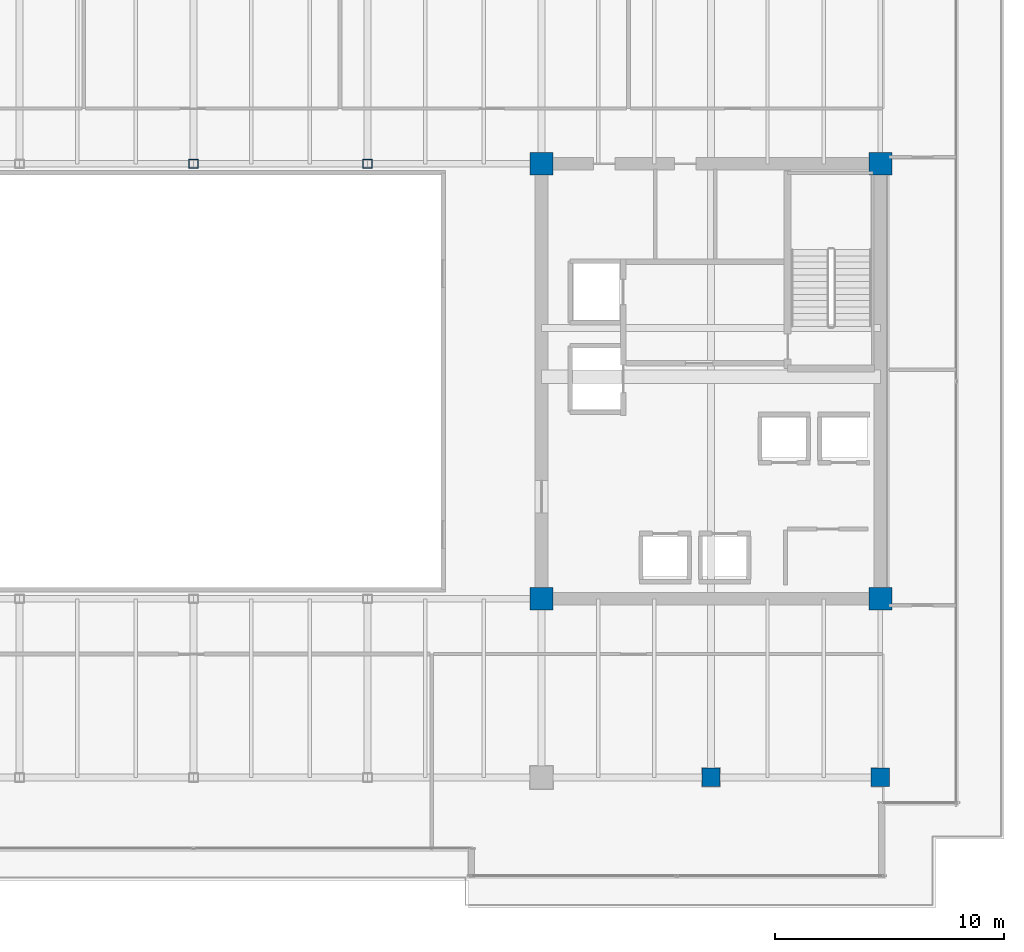
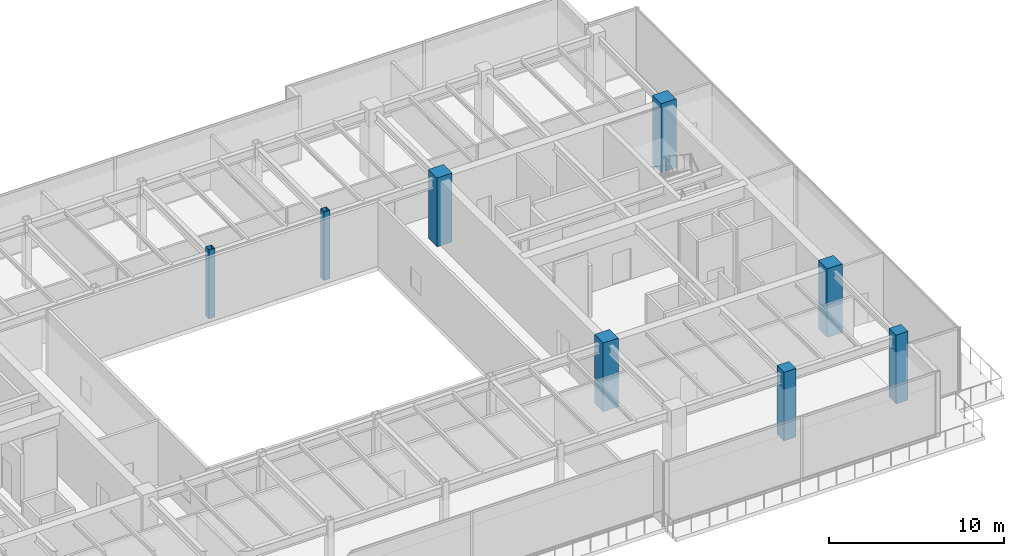
# One storey, part 2 of 37: 8 columns.
"""IFC4 building model written with IfcOpenShell, lengths in metres."""

from ifc_helpers import new_model, si_unit, direction, frame, origin, origin_2d, place, context, subcontext, project, spatial, rectangle, hollow_rectangle, extrude, source, transform, mapped, material, material_profile, profile_set, type_object, type_shapes, element, save


model = new_model("IFC4")

# Units and contexts
model_context = context("Model", 3, precision=1e-05, world=origin(), true_north=direction((0.0, 1.0)))
body_context = subcontext(model_context, "Body", "Model", "MODEL_VIEW")
ifc_project = project(units=[si_unit("LENGTHUNIT", "METRE"), si_unit("AREAUNIT", "SQUARE_METRE"), si_unit("VOLUMEUNIT", "CUBIC_METRE"), si_unit("PLANEANGLEUNIT", "RADIAN"), si_unit("MASSUNIT", "GRAM", prefix="KILO")], contexts=[model_context])

# Site, building, storey
site_placement = place(None, origin())
site = spatial("IfcSite", under=ifc_project, at=site_placement, CompositionType="ELEMENT")
building_placement = place(site_placement, origin())
building = spatial("IfcBuilding", under=site, at=building_placement, Name="Haelvirn Gate Laboratories", CompositionType="ELEMENT")
storey_placement = place(building_placement, frame((0.0, 0.0, 196.60009765625)))
storey = spatial("IfcBuildingStorey", under=building, at=storey_placement, Name="L47", CompositionType="ELEMENT", Elevation=196.60009765625)

# Columns
ifc_material_1 = material(Name="Concrete C60/75", Category="concrete")
ifc_material_profile_1 = material_profile(ifc_material_1, rectangle(XDim=1.0, YDim=1.0, at=origin_2d()), Name="RC-1000x1000")
ifc_profile_set_1 = profile_set([ifc_material_profile_1], Name="Concrete C60/75")
column_type_1 = type_object("IfcColumnType", Name="COL-RC-1000", PredefinedType="COLUMN", material=ifc_profile_set_1)
shared_shape_1 = source(origin(), body_context, "Body", "SweptSolid", [
    extrude(rectangle(XDim=1.0, YDim=1.0, at=origin_2d()), origin(), (0.0, 0.0, 1.0), 4.7998046875),
])
type_shapes(column_type_1, [shared_shape_1])
for number, where, z_axis, x_axis, name in (
    (1, (52.60009765625, 14.800048828125, 0.0), (0.0, 0.0, 1.0), (1.0, 0.0, 0.0), "L47 Column 8C"),
    (2, (67.39990234375, 14.800048828125, 0.0), (0.0, 0.0, 1.0), (1.0, 0.0, 0.0), "L47 Column 10C"),
    (3, (52.60009765625, 33.800048828125, 0.0), (0.0, 0.0, 1.0), (1.0, 0.0, 0.0), "L47 Column 8F"),
    (4, (67.39990234375, 33.800048828125, 0.0), (0.0, 0.0, 1.0), (1.0, 0.0, 0.0), "L47 Column 10F"),
):
    element("IfcColumn", number, at=place(storey_placement, frame(where, z_axis=z_axis, x_axis=x_axis)), inside=storey, type_object=column_type_1, Name=name, PredefinedType="COLUMN", context=body_context, shape_type="MappedRepresentation", body=[
        mapped(shared_shape_1, transform((0.0, 0.0, 0.0), scale=1.0)),
    ])
ifc_material_2 = material(Name="Concrete C50/60", Category="concrete")
ifc_material_profile_2 = material_profile(ifc_material_2, rectangle(XDim=0.800048828125, YDim=0.800048828125, at=origin_2d()), Name="RC-800x800")
ifc_profile_set_2 = profile_set([ifc_material_profile_2], Name="Concrete C50/60")
column_type_2 = type_object("IfcColumnType", Name="COL-RC-800", PredefinedType="COLUMN", material=ifc_profile_set_2)
shared_shape_2 = source(origin(), body_context, "Body", "SweptSolid", [
    extrude(rectangle(XDim=0.800048828125, YDim=0.800048828125, at=origin_2d()), origin(), (0.0, 0.0, 1.0), 4.7998046875),
])
type_shapes(column_type_2, [shared_shape_2])
for number, where, z_axis, x_axis, name in (
    (5, (60.0, 7.0, 0.0), (0.0, 0.0, 1.0), (1.0, 0.0, 0.0), "L47 Column 9B"),
    (6, (67.39990234375, 7.0, 0.0), (0.0, 0.0, 1.0), (1.0, 0.0, 0.0), "L47 Column 10B"),
):
    element("IfcColumn", number, at=place(storey_placement, frame(where, z_axis=z_axis, x_axis=x_axis)), inside=storey, type_object=column_type_2, Name=name, PredefinedType="COLUMN", context=body_context, shape_type="MappedRepresentation", body=[
        mapped(shared_shape_2, transform((0.0, 0.0, 0.0), scale=1.0)),
    ])
ifc_material_3 = material(Name="Steel SM355", Category="steel")
ifc_material_profile_3 = material_profile(ifc_material_3, hollow_rectangle(XDim=0.39990234375, YDim=0.39990234375, WallThickness=0.01904296875, at=origin_2d()), Name="BOX-400x400x19")
ifc_profile_set_3 = profile_set([ifc_material_profile_3], Name="Steel SM355")
column_type_3 = type_object("IfcColumnType", Name="COL-BOX-400", PredefinedType="COLUMN", material=ifc_profile_set_3)
shared_shape_3 = source(origin(), body_context, "Body", "SweptSolid", [
    extrude(hollow_rectangle(XDim=0.39990234375, YDim=0.39990234375, WallThickness=0.01904296875, at=origin_2d()), origin(), (0.0, 0.0, 1.0), 4.7998046875),
])
type_shapes(column_type_3, [shared_shape_3])
for number, where, z_axis, x_axis, name in (
    (7, (37.39990234375, 33.800048828125, 0.0), (0.0, 0.0, 1.0), (1.0, 0.0, 0.0), "L47 Column 6F"),
    (8, (45.0, 33.800048828125, 0.0), (0.0, 0.0, 1.0), (1.0, 0.0, 0.0), "L47 Column 7F"),
):
    element("IfcColumn", number, at=place(storey_placement, frame(where, z_axis=z_axis, x_axis=x_axis)), inside=storey, type_object=column_type_3, Name=name, PredefinedType="COLUMN", context=body_context, shape_type="MappedRepresentation", body=[
        mapped(shared_shape_3, transform((0.0, 0.0, 0.0), scale=1.0)),
    ])

save(model, "model.ifc")
